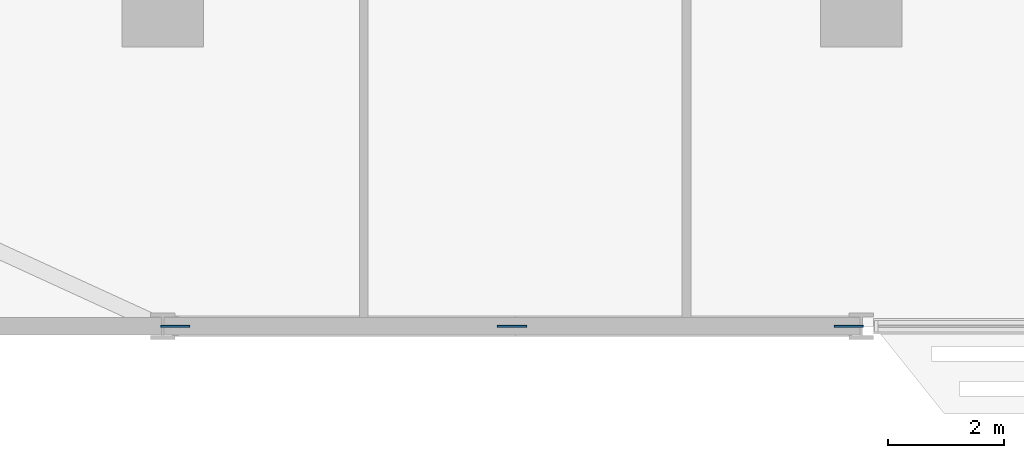
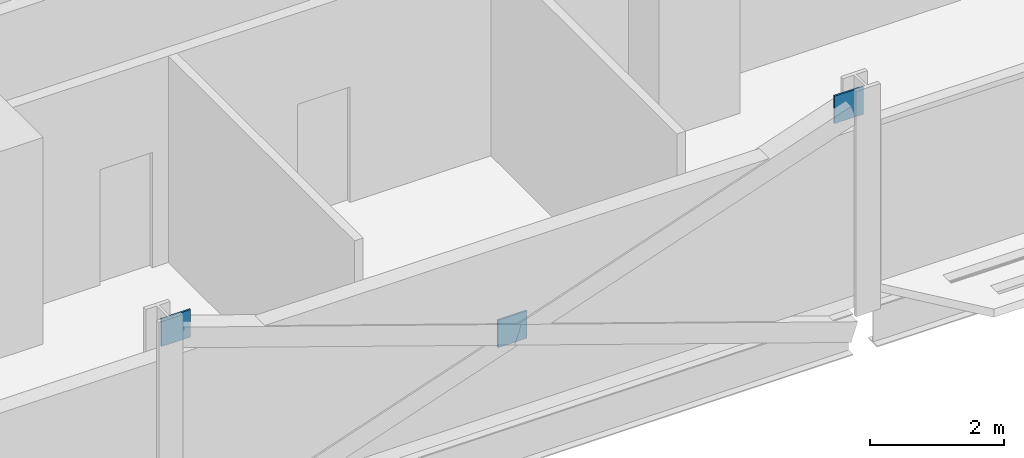
# One storey, part 19 of 29: 3 discrete accessories.
"""IFC4 building model written with IfcOpenShell, lengths in metres."""

from ifc_helpers import new_model, si_unit, direction, frame, origin, origin_2d, place, context, subcontext, project, spatial, rectangle, extrude, material, layer, layer_set, type_object, element, save


model = new_model("IFC4")

# Units and contexts
model_context = context("Model", 3, precision=1e-05, world=origin(), true_north=direction((0.0, 1.0)))
body_context = subcontext(model_context, "Body", "Model", "MODEL_VIEW")
ifc_project = project(units=[si_unit("LENGTHUNIT", "METRE"), si_unit("AREAUNIT", "SQUARE_METRE"), si_unit("VOLUMEUNIT", "CUBIC_METRE"), si_unit("PLANEANGLEUNIT", "RADIAN"), si_unit("MASSUNIT", "GRAM", prefix="KILO")], contexts=[model_context])

# Site, building, storey
site_placement = place(None, origin())
site = spatial("IfcSite", under=ifc_project, at=site_placement, CompositionType="ELEMENT")
building_placement = place(site_placement, origin())
building = spatial("IfcBuilding", under=site, at=building_placement, Name="Mahtab Terrace Research Tower", CompositionType="ELEMENT")
storey_placement = place(building_placement, frame((0.0, 0.0, 88.89990234375)))
storey = spatial("IfcBuildingStorey", under=building, at=storey_placement, Name="L20", CompositionType="ELEMENT", Elevation=88.89990234375)

# Discrete accessories
ifc_material = material(Name="Steel ASTM A992 Gr 50", Category="steel")
ifc_layer = layer(ifc_material, 0.030029296875)
ifc_layer_set = layer_set([ifc_layer], Name="Gusset plate 500x500x30")
discrete_accessory_type = type_object("IfcDiscreteAccessoryType", Name="Gusset plate 500x500x30", PredefinedType="USERDEFINED", material=ifc_layer_set)
for number, where, z_axis, x_axis, name in (
    (1, (-29.790283203125, -17.0, 3.131591796875), (0.0, 0.0, 1.0), (1.0, 0.0, 0.0), "Gusset plate"),
    (2, (-24.0, -17.0, 1.081787109375), (0.0, 0.0, 1.0), (1.0, 0.0, 0.0), "Gusset plate"),
    (3, (-18.209716796875, -17.0, 3.131591796875), (0.0, 0.0, 1.0), (1.0, 0.0, 0.0), "Gusset plate"),
):
    element("IfcDiscreteAccessory", number, at=place(storey_placement, frame(where, z_axis=z_axis, x_axis=x_axis)), inside=storey, type_object=discrete_accessory_type, Name=name, ObjectType="GUSSET PLATE", PredefinedType="USERDEFINED", context=body_context, shape_type="SweptSolid", body=[
        extrude(rectangle(XDim=0.5, YDim=0.030029296875, at=origin_2d()), origin(), (0.0, 0.0, 1.0), 0.5),
    ])

save(model, "model.ifc")
